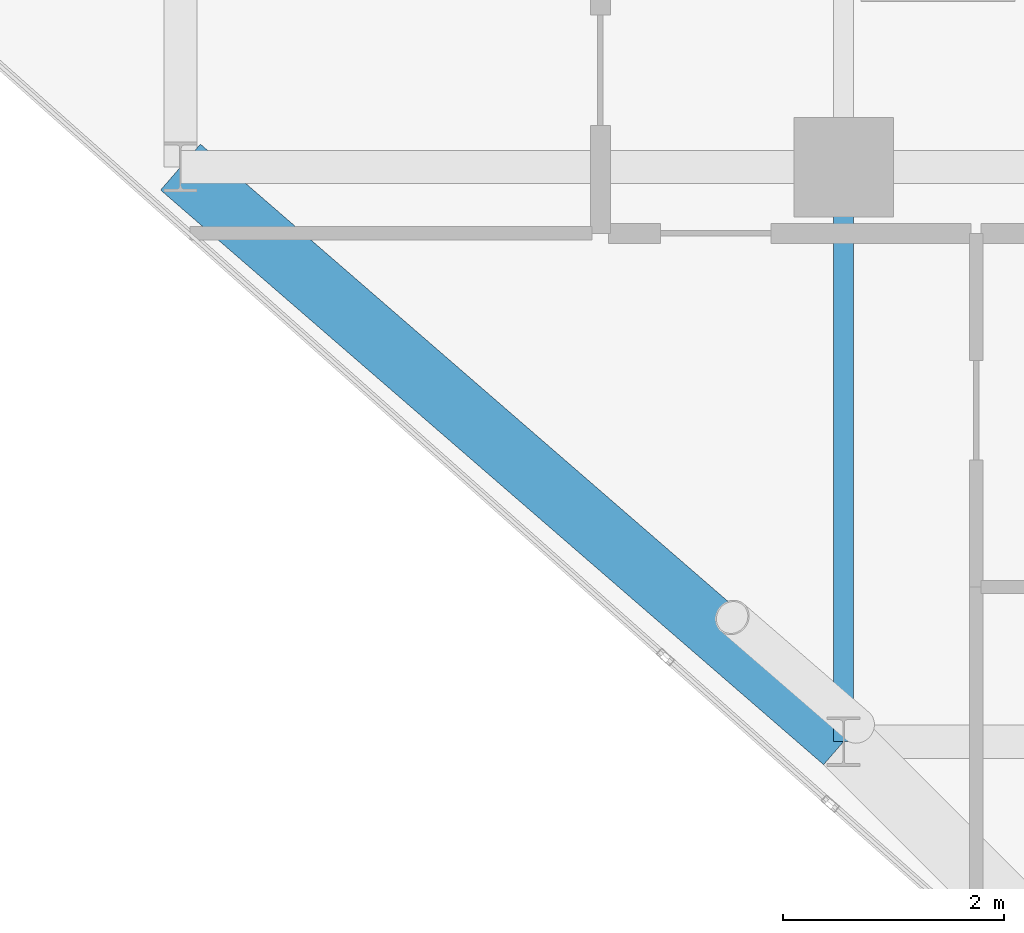
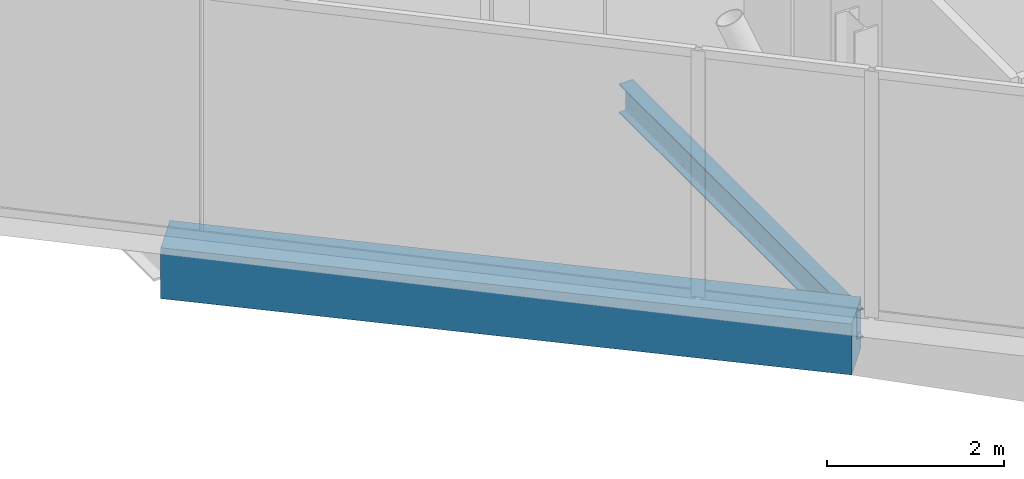
# One storey, part 5 of 29: 2 beams.
"""IFC4 building model written with IfcOpenShell, lengths in metres."""

from ifc_helpers import new_model, si_unit, direction, frame, origin, origin_2d, place, context, subcontext, project, spatial, rectangle, i_section, extrude, material, material_profile, profile_set, type_object, element, save


model = new_model("IFC4")

# Units and contexts
model_context = context("Model", 3, precision=1e-05, world=origin(), true_north=direction((0.0, 1.0)))
body_context = subcontext(model_context, "Body", "Model", "MODEL_VIEW")
ifc_project = project(units=[si_unit("LENGTHUNIT", "METRE"), si_unit("AREAUNIT", "SQUARE_METRE"), si_unit("VOLUMEUNIT", "CUBIC_METRE"), si_unit("PLANEANGLEUNIT", "RADIAN"), si_unit("MASSUNIT", "GRAM", prefix="KILO")], contexts=[model_context])

# Site, building, storey
site_placement = place(None, origin())
site = spatial("IfcSite", under=ifc_project, at=site_placement, CompositionType="ELEMENT")
building_placement = place(site_placement, origin())
building = spatial("IfcBuilding", under=site, at=building_placement, Name="Keshet Zoharim Tower", CompositionType="ELEMENT")
storey_placement = place(building_placement, frame((0.0, 0.0, 199.5)))
storey = spatial("IfcBuildingStorey", under=building, at=storey_placement, Name="L49", CompositionType="ELEMENT", Elevation=199.5)

# Beams
ifc_material_1 = material(Name="Steel S355", Category="steel")
ifc_material_profile_1 = material_profile(ifc_material_1, i_section(OverallWidth=0.179931640625, OverallDepth=0.39990234375, WebThickness=0.008544921875, FlangeThickness=0.013427734375, FilletRadius=0.02099609375, at=origin_2d()), Name="IPE400")
ifc_profile_set_1 = profile_set([ifc_material_profile_1], Name="Steel S355")
beam_type_1 = type_object("IfcBeamType", Name="BM-PRI-IP400", PredefinedType="BEAM", material=ifc_profile_set_1)
beam_1_placement = place(storey_placement, frame((15.0, 12.699951171875, -0.510009765625), z_axis=(0.0, 1.0, 0.0), x_axis=(-1.0, 0.0, 0.0)))
element("IfcBeam", 1, at=beam_1_placement, inside=storey, type_object=beam_type_1, Name="L49 Primary Girder Y-002", PredefinedType="BEAM", context=body_context, shape_type="SweptSolid", body=[
    extrude(i_section(OverallWidth=0.179931640625, OverallDepth=0.39990234375, WebThickness=0.008544921875, FlangeThickness=0.013427734375, FilletRadius=0.02099609375, at=origin_2d()), origin(), (0.0, 0.0, 1.0), 5.199951171875),
])
ifc_material_2 = material(Name="Concrete C50/60", Category="concrete")
ifc_material_profile_2 = material_profile(ifc_material_2, rectangle(XDim=0.550048828125, YDim=0.699951171875, at=origin_2d()), Name="RC700x550")
ifc_profile_set_2 = profile_set([ifc_material_profile_2], Name="Concrete C50/60")
beam_type_2 = type_object("IfcBeamType", Name="BM-SPN-700", PredefinedType="SPANDREL", material=ifc_profile_set_2)
beam_2_placement = place(storey_placement, frame((9.0, 17.89990234375, -0.659912109375), z_axis=(0.755692126483, -0.654927026447, 0.0), x_axis=(0.654927026447, 0.755692126483, 0.0)))
element("IfcBeam", 2, at=beam_2_placement, inside=storey, type_object=beam_type_2, Name="L49 Perimeter Spandrel Beam 02", PredefinedType="SPANDREL", context=body_context, shape_type="SweptSolid", body=[
    extrude(rectangle(XDim=0.550048828125, YDim=0.699951171875, at=origin_2d()), origin(), (0.0, 0.0, 1.0), 7.939697265625),
])

save(model, "model.ifc")
